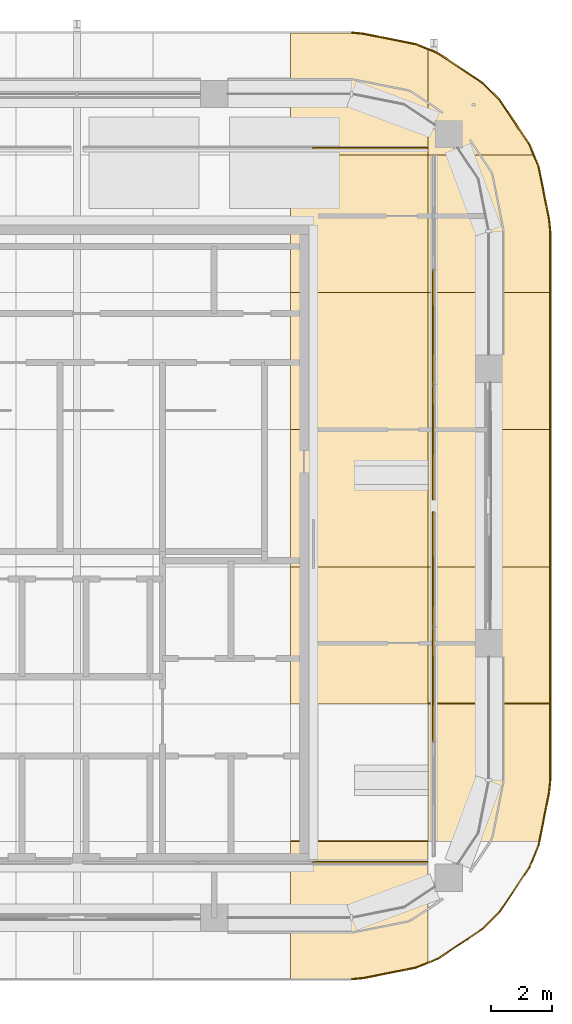
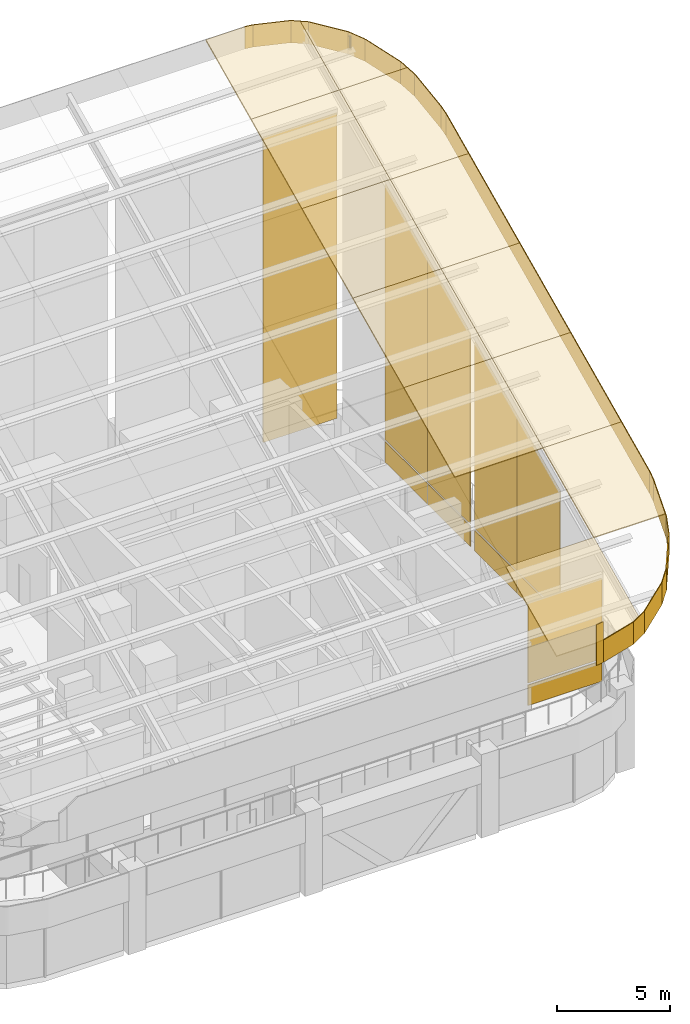
# One storey, part 31 of 31: 42 coverings.
"""IFC4 building model written with IfcOpenShell, lengths in metres."""

import ifcopenshell
import ifcopenshell.guid

model = None  # the IFC model being written
_history = None  # IfcOwnerHistory: only IFC2X3 demands one
_inside = {}  # id of a spatial element -> (the spatial element, [elements in it])
_under = {}  # id of a project, library or spatial element -> (it, [spatial elements below it])
_declared = {}  # id of a project -> (the project, [libraries it declares])
_typed = {}  # id of a type object -> (the type object, [elements of that type])
_made_of = {}  # id of a material, layer set ... -> (it, [elements and type objects made of it])


def new_model(schema):
    """Start an empty IFC model of exactly this schema.

    Asked for "IFC4X3", IfcOpenShell would pick the latest addendum, in which some entities
    have other attributes; the version numbers below select the first issue.
    IFC2X3 requires an IfcOwnerHistory on every rooted entity: one is made here for all.
    """
    global model, _history
    if schema == "IFC4X3":
        model = ifcopenshell.file(schema_version=(4, 3, 0, 0))
    else:
        model = ifcopenshell.file(schema=schema)
    _inside.clear()
    _under.clear()
    _declared.clear()
    _typed.clear()
    _made_of.clear()
    _history = None
    if model.schema == "IFC2X3":
        org = make("IfcOrganization", Name="unknown")
        user = make(
            "IfcPersonAndOrganization",
            ThePerson=make("IfcPerson", FamilyName="unknown"),
            TheOrganization=org,
        )
        app = make(
            "IfcApplication",
            ApplicationDeveloper=org,
            Version="unknown",
            ApplicationFullName="unknown",
            ApplicationIdentifier="unknown",
        )
        _history = make(
            "IfcOwnerHistory",
            OwningUser=user,
            OwningApplication=app,
            ChangeAction="ADDED",
            CreationDate=0,
        )
    return model


def make(cls, **values):
    """One entity of the class cls with the attributes given. An attribute that is None is left unset."""
    return model.create_entity(
        cls, **{name: value for name, value in values.items() if value is not None}
    )


def rooted(cls, **values):
    """An entity with a GlobalId (a new one), such as an element, a storey or a relation."""
    return make(cls, GlobalId=ifcopenshell.guid.new(), OwnerHistory=_history, **values)


def si_unit(unit_type, name, prefix=None):
    """IfcSIUnit, for example si_unit("LENGTHUNIT", "METRE", prefix="MILLI")."""
    return make("IfcSIUnit", UnitType=unit_type, Prefix=prefix, Name=name)


def assignment(units):
    """IfcUnitAssignment: the units of a project."""
    return None if units is None else make("IfcUnitAssignment", Units=units)


def point(xyz):
    """IfcCartesianPoint."""
    return None if xyz is None else make("IfcCartesianPoint", Coordinates=xyz)


def direction(xyz):
    """IfcDirection."""
    return None if xyz is None else make("IfcDirection", DirectionRatios=xyz)


def frame(location, z_axis=None, x_axis=None):
    """IfcAxis2Placement3D, a coordinate frame: its origin and axes. An axis left out is left unset."""
    return make(
        "IfcAxis2Placement3D",
        Location=point(location),
        Axis=direction(z_axis),
        RefDirection=direction(x_axis),
    )


def origin():
    """The frame at (0, 0, 0) with its axes left unset."""
    return frame((0.0, 0.0, 0.0))


def place(relative_to, where):
    """IfcLocalPlacement: puts the frame where relative to a parent placement (None: the world)."""
    return make(
        "IfcLocalPlacement", PlacementRelTo=relative_to, RelativePlacement=where
    )


def context(
    kind, dimensions, precision=None, world=None, true_north=None, identifier=None
):
    """IfcGeometricRepresentationContext, for example the 3D "Model" context."""
    return make(
        "IfcGeometricRepresentationContext",
        ContextIdentifier=identifier,
        ContextType=kind,
        CoordinateSpaceDimension=dimensions,
        Precision=precision,
        WorldCoordinateSystem=world,
        TrueNorth=true_north,
    )


def subcontext(parent, identifier, kind, view, scale=None):
    """IfcGeometricRepresentationSubContext, for example "Body" below "Model"."""
    return make(
        "IfcGeometricRepresentationSubContext",
        ContextIdentifier=identifier,
        ContextType=kind,
        ParentContext=parent,
        TargetScale=scale,
        TargetView=view,
    )


def project(units=None, contexts=None):
    """IfcProject with its units and contexts."""
    return rooted(
        "IfcProject",
        Name="project",
        RepresentationContexts=contexts,
        UnitsInContext=assignment(units),
    )


def spatial(cls, under=None, at=None, **own):
    """A site, building, storey or space (cls), placed at a placement, below another one or the project."""
    s = rooted(cls, ObjectPlacement=at, **own)
    if under is not None:
        _under.setdefault(under.id(), (under, []))[1].append(s)
    return s


def polyline(points):
    """IfcPolyline through the points."""
    return make("IfcPolyline", Points=[point(p) for p in points])


def outline(outer, holes=None, kind="AREA"):
    """IfcArbitraryClosedProfileDef: a profile drawn as a closed curve; with holes, ...WithVoids."""
    if holes is None:
        return make("IfcArbitraryClosedProfileDef", ProfileType=kind, OuterCurve=outer)
    return make(
        "IfcArbitraryProfileDefWithVoids",
        ProfileType=kind,
        OuterCurve=outer,
        InnerCurves=holes,
    )


def extrude(swept, where, along, depth):
    """IfcExtrudedAreaSolid: the profile swept, set in the frame where, extruded along a direction by depth."""
    return make(
        "IfcExtrudedAreaSolid",
        SweptArea=swept,
        Position=where,
        ExtrudedDirection=direction(along),
        Depth=depth,
    )


def shape(context_of_items, identifier, shape_type, items):
    """IfcShapeRepresentation: the items that make up one representation, for example the "Body"."""
    return make(
        "IfcShapeRepresentation",
        ContextOfItems=context_of_items,
        RepresentationIdentifier=identifier,
        RepresentationType=shape_type,
        Items=items,
    )


def material(Name=None, Category=None):
    """IfcMaterial."""
    return make("IfcMaterial", Name=Name, Category=Category)


def layer(
    of_material, thickness, ventilated=None, Name=None, Category=None, Priority=None
):
    """IfcMaterialLayer: one layer of a wall or slab, of a material (None: an air gap)."""
    return make(
        "IfcMaterialLayer",
        Material=of_material,
        LayerThickness=thickness,
        IsVentilated=ventilated,
        Name=Name,
        Category=Category,
        Priority=Priority,
    )


def layer_set(layers, Name=None):
    """IfcMaterialLayerSet."""
    return make("IfcMaterialLayerSet", MaterialLayers=layers, LayerSetName=Name)


def made_of(thing, what):
    """Note that an element or type object is made of a material, layer set ...; save() writes the relation."""
    if what is not None:
        _made_of.setdefault(what.id(), (what, []))[1].append(thing)
    return thing


def type_object(cls, material=None, **own):
    """A type object (cls), such as IfcWallType, which elements share."""
    return made_of(rooted(cls, **own), material)


def element(
    cls,
    number,
    at=None,
    inside=None,
    cuts=None,
    type_object=None,
    material=None,
    context=None,
    identifier="Body",
    shape_type=None,
    held_by="IfcProductDefinitionShape",
    body=None,
    shapes=None,
    **own,
):
    """One element of the class cls, such as IfcWall. Its Tag is "e" and its number.

    at: its placement. inside: the storey or other place that contains it. cuts: it is an
    opening in that element (IfcRelVoidsElement). A single representation is given by context,
    identifier, shape_type and body (its items); several are given by shapes. held_by: the class
    of the entity that holds the representations. save() writes the other relations.
    """
    e = rooted(cls, Tag="e%d" % number, ObjectPlacement=at, **own)
    if body is not None:
        shapes = [shape(context, identifier, shape_type, body)]
    if shapes is not None:
        e.Representation = make(held_by, Representations=shapes)
    if inside is not None:
        _inside.setdefault(inside.id(), (inside, []))[1].append(e)
    if cuts is not None:
        rooted(
            "IfcRelVoidsElement", RelatingBuildingElement=cuts, RelatedOpeningElement=e
        )
    if type_object is not None:
        _typed.setdefault(type_object.id(), (type_object, []))[1].append(e)
    return made_of(e, material)


def aggregate(whole, parts):
    """IfcRelAggregates: a whole, such as a stair, and the parts it consists of."""
    return rooted("IfcRelAggregates", RelatingObject=whole, RelatedObjects=parts)


def save(model, path):
    """Write the relations noted so far, then the file.

    IfcRelAggregates (storeys below a building ...), IfcRelContainedInSpatialStructure (elements
    in a storey), IfcRelDefinesByType, IfcRelAssociatesMaterial and IfcRelDeclares: one each for
    every whole, place, type object, material and project.
    """
    for whole, parts in _under.values():
        aggregate(whole, parts)
    for where, things in _inside.values():
        rooted(
            "IfcRelContainedInSpatialStructure",
            RelatedElements=things,
            RelatingStructure=where,
        )
    for kind, things in _typed.values():
        rooted("IfcRelDefinesByType", RelatedObjects=things, RelatingType=kind)
    for what, things in _made_of.values():
        rooted("IfcRelAssociatesMaterial", RelatedObjects=things, RelatingMaterial=what)
    for by, libraries in _declared.values():
        rooted("IfcRelDeclares", RelatingContext=by, RelatedDefinitions=libraries)
    model.write(path)


model = new_model("IFC4")

# Units and contexts
model_context = context("Model", 3, precision=1e-05, world=origin(), true_north=direction((0.0, 1.0)))
body_context = subcontext(model_context, "Body", "Model", "MODEL_VIEW")
ifc_project = project(units=[si_unit("LENGTHUNIT", "METRE"), si_unit("AREAUNIT", "SQUARE_METRE"), si_unit("VOLUMEUNIT", "CUBIC_METRE"), si_unit("PLANEANGLEUNIT", "RADIAN"), si_unit("MASSUNIT", "GRAM", prefix="KILO")], contexts=[model_context])

# Site, building, storey
site_placement = place(None, origin())
site = spatial("IfcSite", under=ifc_project, at=site_placement, CompositionType="ELEMENT")
building_placement = place(site_placement, origin())
building = spatial("IfcBuilding", under=site, at=building_placement, Name="Tessera Arch", CompositionType="ELEMENT")
storey_placement = place(building_placement, frame((0.0, 0.0, 320.699951171875)))
storey = spatial("IfcBuildingStorey", under=building, at=storey_placement, Name="L77", CompositionType="ELEMENT", Elevation=320.699951171875)

# Coverings
ifc_material_1 = material(Name="Aluminium cladding pale metal anodised", Category="aluminium")
ifc_layer_1 = layer(ifc_material_1, 0.0400390625)
ifc_layer_set_1 = layer_set([ifc_layer_1], Name="Canopy fascia pale metal")
covering_type_1 = type_object("IfcCoveringType", Name="Canopy fascia pale metal", PredefinedType="CLADDING", material=ifc_layer_set_1)
covering_1_placement = place(storey_placement, frame((56.0, 31.5, 12.775634765625), z_axis=(-1.0, 0.0, 0.0), x_axis=(0.0, 0.906312170564, 0.422608861109)))
element("IfcCovering", 1, at=covering_1_placement, inside=storey, type_object=covering_type_1, Name="CANOPY fascia 1", PredefinedType="CLADDING", context=body_context, shape_type="SweptSolid", body=[
    extrude(outline(polyline([(0.0, 0.0), (19.860706481298273, 0.0), (19.353596483166164, 1.08753035115285), (-0.5072131741235867, 1.087751618772617), (0.0, 0.0)])), origin(), (0.0, 0.0, -1.0), 0.0400390625),
])
covering_2_placement = place(storey_placement, frame((56.0, 49.5, 21.1689453125), z_axis=(-0.99520834523, -0.097777040176, 0.0), x_axis=(-0.088695214373, 0.902770398526, 0.42087856502)))
element("IfcCovering", 2, at=covering_2_placement, inside=storey, type_object=covering_type_1, Name="CANOPY fascia 2", PredefinedType="CLADDING", context=body_context, shape_type="SweptSolid", body=[
    extrude(outline(polyline([(0.0, 0.0), (0.43215497471687914, 0.0), (-0.07287875259567606, 1.0884960951519183), (-0.5050337273125551, 1.0884960951519183), (0.0, 0.0)])), origin(), (0.0, 0.0, -1.0), 0.0400390625),
])
covering_3_placement = place(storey_placement, frame((55.961669921875, 49.89013671875, 21.350830078125), z_axis=(-0.980762070993, -0.195206967348, 0.0), x_axis=(-0.17751651349, 0.8918814004, 0.415975305829)))
element("IfcCovering", 3, at=covering_3_placement, inside=storey, type_object=covering_type_1, Name="CANOPY fascia 3", PredefinedType="CLADDING", context=body_context, shape_type="SweptSolid", body=[
    extrude(outline(polyline([(0.0, 0.0), (1.930938315316513, -1.1102230246251565e-16), (1.4317882596163907, 1.0912066883861877), (-0.49915005570012233, 1.0912066883861877), (0.0, 0.0)])), origin(), (0.0, 0.0, -1.0), 0.0400390625),
])
covering_4_placement = place(storey_placement, frame((55.618896484375, 51.6123046875, 22.154052734375), z_axis=(-0.923898629088, -0.382637325897, 0.0), x_axis=(-0.35141259642, 0.848504821935, 0.395662424587)))
element("IfcCovering", 4, at=covering_4_placement, inside=storey, type_object=covering_type_1, Name="CANOPY fascia 4", PredefinedType="CLADDING", context=body_context, shape_type="SweptSolid", body=[
    extrude(outline(polyline([(0.0, 0.0), (0.8496678474737825, 0.0), (0.374892257423841, 1.102030377973727), (-0.4747755900499415, 1.102030377973727), (0.0, 0.0)])), origin(), (0.0, 0.0, -1.0), 0.0400390625),
])
covering_5_placement = place(storey_placement, frame((55.3203125, 52.333251953125, 22.490234375), z_axis=(-0.831515102434, -0.555502146192, 0.0), x_axis=(-0.517943637135, 0.775294856086, 0.361458538256)))
element("IfcCovering", 5, at=covering_5_placement, inside=storey, type_object=covering_type_1, Name="CANOPY fascia 5", PredefinedType="CLADDING", context=body_context, shape_type="SweptSolid", body=[
    extrude(outline(polyline([(0.0, 0.0), (1.8831041197279126, 0.0), (1.4493715231638487, 1.118820293685264), (-0.4337325965640638, 1.118820293685264), (0.0, 0.0)])), origin(), (0.0, 0.0, -1.0), 0.0400390625),
])
covering_6_placement = place(storey_placement, frame((54.344970703125, 53.793212890625, 23.1708984375), z_axis=(-0.707106781187, -0.707106781187, 0.0), x_axis=(-0.671533892483, 0.671533892483, 0.313184390565)))
element("IfcCovering", 6, at=covering_6_placement, inside=storey, type_object=covering_type_1, Name="CANOPY fascia 6", PredefinedType="CLADDING", context=body_context, shape_type="SweptSolid", body=[
    extrude(outline(polyline([(0.0, 0.0), (0.821638071698767, -2.7755575615628914e-17), (0.44583209522730854, 1.1395844343147723), (-0.3758059764714585, 1.1395844343147723), (0.0, 0.0)])), origin(), (0.0, 0.0, -1.0), 0.0400390625),
])
covering_7_placement = place(storey_placement, frame((53.793212890625, 54.344970703125, 23.42822265625), z_axis=(-0.555502146192, -0.831515102434, 0.0), x_axis=(-0.80494515218, 0.537751819893, 0.250771374333)))
element("IfcCovering", 7, at=covering_7_placement, inside=storey, type_object=covering_type_1, Name="CANOPY fascia 7", PredefinedType="CLADDING", context=body_context, shape_type="SweptSolid", body=[
    extrude(outline(polyline([(0.0, 0.0), (1.8137396486540374, 0.0), (1.5128262441505989, 1.1616083409972293), (-0.3009134045034385, 1.1616083409972293), (0.0, 0.0)])), origin(), (0.0, 0.0, -1.0), 0.0400390625),
])
covering_8_placement = place(storey_placement, frame((52.333251953125, 55.3203125, 23.883056640625), z_axis=(-0.382637325897, -0.923898629088, 0.0), x_axis=(-0.909499309313, 0.376673774226, 0.175863225743)))
element("IfcCovering", 8, at=covering_8_placement, inside=storey, type_object=covering_type_1, Name="CANOPY fascia 8", PredefinedType="CLADDING", context=body_context, shape_type="SweptSolid", body=[
    extrude(outline(polyline([(0.0, 0.0), (0.7926858857861844, 0.0), (0.5816586019666166, 1.1812494657640789), (-0.2110272838195678, 1.1812494657640786), (0.0, 0.0)])), origin(), (0.0, 0.0, -1.0), 0.0400390625),
])
covering_9_placement = place(storey_placement, frame((51.6123046875, 55.618896484375, 24.0224609375), z_axis=(-0.195206967348, -0.980762070993, 0.0), x_axis=(-0.976732464869, 0.194404930632, 0.090556142901)))
element("IfcCovering", 9, at=covering_9_placement, inside=storey, type_object=covering_type_1, Name="CANOPY fascia 9", PredefinedType="CLADDING", context=body_context, shape_type="SweptSolid", body=[
    extrude(outline(polyline([(0.0, 0.0), (1.7631931267699572, -2.7755575615628914e-17), (1.6545301769753142, 1.1950209948892585), (-0.10866294979464294, 1.1950209948892583), (0.0, 0.0)])), origin(), (0.0, 0.0, -1.0), 0.0400390625),
])
covering_10_placement = place(storey_placement, frame((49.89013671875, 55.961669921875, 24.18212890625), z_axis=(-0.097777040176, -0.99520834523, 0.0), x_axis=(-0.994181437068, 0.097676148698, 0.045416298439)))
element("IfcCovering", 10, at=covering_10_placement, inside=storey, type_object=covering_type_1, Name="CANOPY fascia 10", PredefinedType="CLADDING", context=body_context, shape_type="SweptSolid", body=[
    extrude(outline(polyline([(0.0, 0.0), (0.39242003944509934, 0.0), (0.3379226989106381, 1.1987129993283867), (-0.05449734053446123, 1.1987129993283867), (0.0, 0.0)])), origin(), (0.0, 0.0, -1.0), 0.0400390625),
])
covering_11_placement = place(storey_placement, frame((49.5, 25.0, 10.74462890625), z_axis=(-0.097777040176, 0.99520834523, 0.0), x_axis=(0.994181437068, 0.097676148698, 0.045416298439)))
element("IfcCovering", 11, at=covering_11_placement, inside=storey, type_object=covering_type_1, Name="CANOPY fascia 32", PredefinedType="CLADDING", context=body_context, shape_type="SweptSolid", body=[
    extrude(outline(polyline([(0.0, 0.0), (0.39242003944509934, 0.0), (0.29250640047133936, 2.197681146886693), (-0.0999247269372461, 2.1979250355945923), (0.0, 0.0)])), origin(), (0.0, 0.0, -1.0), 0.0400390625),
])
covering_12_placement = place(storey_placement, frame((49.89013671875, 25.038330078125, 9.762451171875), z_axis=(-0.195206967348, 0.980762070993, 0.0), x_axis=(0.976732464869, 0.194404930632, 0.090556142901)))
element("IfcCovering", 12, at=covering_12_placement, inside=storey, type_object=covering_type_1, Name="CANOPY fascia 33", PredefinedType="CLADDING", context=body_context, shape_type="SweptSolid", body=[
    extrude(outline(polyline([(0.0, 0.0), (1.7631931267699572, -2.7755575615628914e-17), (1.6545301769753142, 1.1950209948892585), (-0.10866294979464294, 1.1950209948892583), (0.0, 0.0)])), origin(), (0.0, 0.0, -1.0), 0.0400390625),
])
covering_13_placement = place(storey_placement, frame((51.6123046875, 25.381103515625, 9.922119140625), z_axis=(-0.382637325897, 0.923898629088, 0.0), x_axis=(0.909499309313, 0.376673774226, 0.175863225743)))
element("IfcCovering", 13, at=covering_13_placement, inside=storey, type_object=covering_type_1, Name="CANOPY fascia 34", PredefinedType="CLADDING", context=body_context, shape_type="SweptSolid", body=[
    extrude(outline(polyline([(0.0, 0.0), (0.7926858857861844, 0.0), (0.5816156666087692, 1.1814898013624031), (-0.2110272838195678, 1.1812494657640786), (0.0, 0.0)])), origin(), (0.0, 0.0, -1.0), 0.0400390625),
])
covering_14_placement = place(storey_placement, frame((52.333251953125, 25.6796875, 10.0615234375), z_axis=(-0.555502146192, 0.831515102434, 0.0), x_axis=(0.80494515218, 0.537751819893, 0.250771374333)))
element("IfcCovering", 14, at=covering_14_placement, inside=storey, type_object=covering_type_1, Name="CANOPY fascia 35", PredefinedType="CLADDING", context=body_context, shape_type="SweptSolid", body=[
    extrude(outline(polyline([(0.0, 0.0), (1.8137396486540374, 5.551115123125783e-17), (1.512765020670537, 1.1618446804358862), (-0.3009746279835003, 1.161844680435886), (0.0, 0.0)])), origin(), (0.0, 0.0, -1.0), 0.0400390625),
])
covering_15_placement = place(storey_placement, frame((53.793212890625, 26.655029296875, 10.516357421875), z_axis=(-0.707106781187, 0.707106781187, 0.0), x_axis=(0.671596364002, 0.671596364002, 0.31291635898)))
element("IfcCovering", 15, at=covering_15_placement, inside=storey, type_object=covering_type_1, Name="CANOPY fascia 36", PredefinedType="CLADDING", context=body_context, shape_type="SweptSolid", body=[
    extrude(outline(polyline([(0.0, 0.0), (0.8215616433830917, 0.0), (0.4460772917262735, 1.139690447685267), (-0.3755607472522723, 1.1399223277356607), (0.0, 0.0)])), origin(), (0.0, 0.0, -1.0), 0.0400390625),
])
covering_16_placement = place(storey_placement, frame((54.344970703125, 27.206787109375, 10.7734375), z_axis=(-0.831515102434, 0.555502146192, 0.0), x_axis=(0.517919362424, 0.775258519974, 0.3615712395)))
element("IfcCovering", 16, at=covering_16_placement, inside=storey, type_object=covering_type_1, Name="CANOPY fascia 37", PredefinedType="CLADDING", context=body_context, shape_type="SweptSolid", body=[
    extrude(outline(polyline([(0.0, 0.0), (1.8831923801991524, -1.1102230246251565e-16), (1.4493245476451897, 1.1187678574034525), (-0.4338678325539627, 1.1187678574034527), (0.0, 0.0)])), origin(), (0.0, 0.0, -1.0), 0.0400390625),
])
covering_17_placement = place(storey_placement, frame((55.3203125, 28.666748046875, 11.454345703125), z_axis=(-0.923898629088, 0.382637325897, 0.0), x_axis=(0.35141259642, 0.848504821935, 0.395662424587)))
element("IfcCovering", 17, at=covering_17_placement, inside=storey, type_object=covering_type_1, Name="CANOPY fascia 38", PredefinedType="CLADDING", context=body_context, shape_type="SweptSolid", body=[
    extrude(outline(polyline([(0.0, 0.0), (0.8496678474737825, 0.0), (0.374892257423841, 1.102030377973727), (-0.4747755900499415, 1.102030377973727), (0.0, 0.0)])), origin(), (0.0, 0.0, -1.0), 0.0400390625),
])
covering_18_placement = place(storey_placement, frame((55.618896484375, 29.3876953125, 11.79052734375), z_axis=(-0.980762070993, 0.195206967348, 0.0), x_axis=(0.177525849176, 0.891928304905, 0.415870739273)))
element("IfcCovering", 18, at=covering_18_placement, inside=storey, type_object=covering_type_1, Name="CANOPY fascia 39", PredefinedType="CLADDING", context=body_context, shape_type="SweptSolid", body=[
    extrude(outline(polyline([(0.0, 0.0), (1.9308367716094998, 0.0), (1.4318121906701764, 1.0912640755117518), (-0.4990245809393234, 1.0912640755117518), (0.0, 0.0)])), origin(), (0.0, 0.0, -1.0), 0.0400390625),
])
covering_19_placement = place(storey_placement, frame((55.961669921875, 31.10986328125, 12.593505859375), z_axis=(-0.99520834523, 0.097777040176, 0.0), x_axis=(0.088674118673, 0.902555679234, 0.421343264524)))
element("IfcCovering", 19, at=covering_19_placement, inside=storey, type_object=covering_type_1, Name="CANOPY fascia 40", PredefinedType="CLADDING", context=body_context, shape_type="SweptSolid", body=[
    extrude(outline(polyline([(0.0, 0.0), (0.4322577850055526, 0.0), (-0.07343642602917538, 1.0884586133946192), (-0.5055913440267876, 1.0882372019598359), (0.0, 0.0)])), origin(), (0.0, 0.0, -1.0), 0.0400390625),
])
ifc_material_2 = material(Name="Aluminium cladding pale metal anodised", Category="aluminium")
ifc_layer_2 = layer(ifc_material_2, 0.080078125)
ifc_layer_set_2 = layer_set([ifc_layer_2], Name="Canopy panel pale metal")
covering_type_2 = type_object("IfcCoveringType", Name="Canopy panel pale metal", PredefinedType="CLADDING", material=ifc_layer_set_2)
covering_20_placement = place(storey_placement, frame((52.0, 25.54150390625, 9.9970703125), z_axis=(6.276053e-06, -0.422588817777, 0.906321516378), x_axis=(2.3e-11, 0.906321516396, 0.422588817785)))
element("IfcCovering", 20, at=covering_20_placement, inside=storey, type_object=covering_type_2, Name="CANOPY panel 8-1", PredefinedType="CLADDING", context=body_context, shape_type="SweptSolid", body=[
    extrude(outline(polyline([(0.0, 0.0), (4.367643683912569, 0.0), (4.36764368381086, 4.499999999911374), (-0.5974555569759563, 4.500000000151533), (-0.5974555569307519, 2.5000000001909215), (-0.5551846922313723, 2.1098632811661364), (-0.17704785238484488, 0.3876953115692454), (0.0, 0.0)])), origin(), (0.0, 0.0, -1.0), 0.080078125),
])
for number, where, z_axis, x_axis, name in (
    (21, (52.0, 34.0, 13.941162109375), (0.0, -0.422618958231, 0.906307462258), (0.0, 0.906307462258, 0.422618958231), "CANOPY panel 8-3"),
    (22, (52.0, 38.5, 16.03955078125), (0.0, -0.422618958231, 0.906307462258), (0.0, 0.906307462258, 0.422618958231), "CANOPY panel 8-4"),
    (23, (52.0, 43.0, 18.137939453125), (0.0, -0.422618958231, 0.906307462258), (0.0, 0.906307462258, 0.422618958231), "CANOPY panel 8-5"),
):
    element("IfcCovering", number, at=place(storey_placement, frame(where, z_axis=z_axis, x_axis=x_axis)), inside=storey, type_object=covering_type_2, Name=name, PredefinedType="CLADDING", context=body_context, shape_type="SweptSolid", body=[
        extrude(outline(polyline([(0.0, 0.0), (4.965202414630578, 0.0), (4.965202414630578, 4.5), (0.0, 4.5), (0.0, 0.0)])), origin(), (0.0, 0.0, -1.0), 0.080078125),
    ])
covering_21_placement = place(storey_placement, frame((52.0, 47.5, 20.236328125), z_axis=(0.0, -0.422659345144, 0.906288628397), x_axis=(0.0, 0.906288628397, 0.422659345144)))
element("IfcCovering", 24, at=covering_21_placement, inside=storey, type_object=covering_type_2, Name="CANOPY panel 8-6", PredefinedType="CLADDING", context=body_context, shape_type="SweptSolid", body=[
    extrude(outline(polyline([(0.0, 0.0), (4.965305598017272, 0.0), (4.965305598017272, 4.5), (0.0, 4.5), (0.0, 0.0)])), origin(), (0.0, 0.0, -1.0), 0.080078125),
])
covering_22_placement = place(storey_placement, frame((47.5, 56.0, 24.199951171875), z_axis=(-6.22159e-06, -0.42258493193, 0.906323328215), x_axis=(7.8e-11, -0.906323328233, -0.422584931938)))
element("IfcCovering", 25, at=covering_22_placement, inside=storey, type_object=covering_type_2, Name="CANOPY panel 8-7", PredefinedType="CLADDING", context=body_context, shape_type="SweptSolid", body=[
    extrude(outline(polyline([(0.0, 0.0), (4.413410084189541, -1.6940658945086007e-21), (4.413410084542067, 4.499999999912907), (0.5974555573945702, 4.500000000101627), (0.42040770561763907, 4.112304688538863), (0.04227086507103546, 2.3901367189802665), (1.5667820238044818e-10, 1.9999999999612919), (0.0, 0.0)])), origin(), (0.0, 0.0, -1.0), 0.080078125),
])
covering_23_placement = place(storey_placement, frame((55.961669921875, 31.10986328125, 12.593505859375), z_axis=(-2.0109705e-05, -0.422618463906, 0.906307692542), x_axis=(0.088674135412, 0.902736711943, 0.420955254891)))
element("IfcCovering", 26, at=covering_23_placement, inside=storey, type_object=covering_type_2, Name="CANOPY panel 9-2", PredefinedType="CLADDING", context=body_context, shape_type="SweptSolid", body=[
    extrude(outline(polyline([(0.0, 0.0), (0.43225774538387096, -8.673617379884035e-19), (3.179734385310717, 0.24459365034638464), (2.8250378436646413, 4.228836408622279), (-2.1206050983059286, 3.788551377327002), (-1.7977108771968453, 0.1615383927270899), (0.0, 0.0)])), origin(), (0.0, 0.0, -1.0), 0.080078125),
])
for number, where, z_axis, x_axis, name in (
    (27, (56.0, 38.5, 16.03955078125), (0.0, -0.422618958231, 0.906307462258), (-1.0, 0.0, 0.0), "CANOPY panel 9-3"),
    (28, (56.0, 43.0, 18.137939453125), (0.0, -0.422618958231, 0.906307462258), (-1.0, 0.0, 0.0), "CANOPY panel 9-4"),
    (29, (56.0, 47.5, 20.236328125), (0.0, -0.422618958231, 0.906307462258), (-1.0, 0.0, 0.0), "CANOPY panel 9-5"),
):
    element("IfcCovering", number, at=place(storey_placement, frame(where, z_axis=z_axis, x_axis=x_axis)), inside=storey, type_object=covering_type_2, Name=name, PredefinedType="CLADDING", context=body_context, shape_type="SweptSolid", body=[
        extrude(outline(polyline([(0.0, 0.0), (4.0, 0.0), (4.0, 4.965202414630578), (0.0, 4.965202414630578), (0.0, 0.0)])), origin(), (0.0, 0.0, -1.0), 0.080078125),
    ])
covering_24_placement = place(storey_placement, frame((55.45849609375, 52.0, 22.3349609375), z_axis=(2.1564288e-05, -0.422656793391, 0.906289818179), x_axis=(-0.999999999767, -9.114293e-06, 1.9543494e-05)))
element("IfcCovering", 30, at=covering_24_placement, inside=storey, type_object=covering_type_2, Name="CANOPY panel 9-6", PredefinedType="CLADDING", context=body_context, shape_type="SweptSolid", body=[
    extrude(outline(polyline([(0.0, 0.0), (3.4584960929458677, 0.0), (3.458496092644403, 4.965305597997592), (-0.5415039064255599, 4.965305597997592), (-0.5415039084121805, 2.7585489711958724), (-0.5031738314524422, 2.328097203389057), (-0.1604003925976032, 0.427826395404995), (0.0, 0.0)])), origin(), (0.0, 0.0, -1.0), 0.080078125),
])
covering_25_placement = place(storey_placement, frame((52.0, 55.45849609375, 23.947509765625), z_axis=(4.2067989e-05, -0.422550528858, 0.906339367341), x_axis=(1.402e-09, -0.906339368143, -0.422550529232)))
element("IfcCovering", 31, at=covering_25_placement, inside=storey, type_object=covering_type_2, Name="CANOPY panel 9-7", PredefinedType="CLADDING", context=body_context, shape_type="SweptSolid", body=[
    extrude(outline(polyline([(0.0, 0.0), (3.815954525070886, 1.3552527156068805e-20), (3.815954529918054, 3.458496090689723), (3.448304291905374, 3.3203125011681873), (1.8374692570926954, 2.344970707187966), (1.228656944353185, 1.7932128927685944), (0.15247593359356382, 0.33325195374611094), (0.0, 0.0)])), origin(), (0.0, 0.0, -1.0), 0.080078125),
])
ifc_material_3 = material(Name="Aluminium cladding pale metal anodised", Category="aluminium")
ifc_layer_3 = layer(ifc_material_3, 0.050048828125)
ifc_layer_set_3 = layer_set([ifc_layer_3], Name="Crown screen panel pale metal")
covering_type_3 = type_object("IfcCoveringType", Name="Crown screen panel pale metal", PredefinedType="CLADDING", material=ifc_layer_set_3)
covering_26_placement = place(storey_placement, frame((48.2333984375, 28.800048828125, 4.5), z_axis=(0.0, -1.0, 0.0), x_axis=(1.0, 0.0, 0.0)))
element("IfcCovering", 32, at=covering_26_placement, inside=storey, type_object=covering_type_3, Name="CROWN screen S3-3", PredefinedType="CLADDING", context=body_context, shape_type="SweptSolid", body=[
    extrude(outline(polyline([(0.0, 0.0), (3.7666015625, 0.0), (3.7666015625, 1.10009765625), (0.0, 1.10009765625), (0.0, 0.0)])), origin(), (0.0, 0.0, -1.0), 0.050048828125),
])
covering_27_placement = place(storey_placement, frame((48.2333984375, 28.800048828125, 5.714111328125), z_axis=(0.0, -1.0, 0.0), x_axis=(1.0, 0.0, 0.0)))
element("IfcCovering", 33, at=covering_27_placement, inside=storey, type_object=covering_type_3, Name="CROWN screen S3-3 head", PredefinedType="CLADDING", context=body_context, shape_type="SweptSolid", body=[
    extrude(outline(polyline([(0.0, 0.0), (3.7666015625, 0.0), (3.7666015625, 4.341796875), (0.0, 4.341796875), (0.0, 0.0)])), origin(), (0.0, 0.0, -1.0), 0.050048828125),
])
covering_28_placement = place(storey_placement, frame((48.2333984375, 52.199951171875, 4.5), z_axis=(0.0, -1.0, 0.0), x_axis=(1.0, 0.0, 0.0)))
element("IfcCovering", 34, at=covering_28_placement, inside=storey, type_object=covering_type_3, Name="CROWN screen N6-3", PredefinedType="CLADDING", context=body_context, shape_type="SweptSolid", body=[
    extrude(outline(polyline([(0.0, 0.0), (3.7666015625, 0.0), (3.7666015625, 16.467529296875), (0.0, 16.467529296875), (0.0, 0.0)])), origin(), (0.0, 0.0, -1.0), 0.050048828125),
])
covering_29_placement = place(storey_placement, frame((52.199951171875, 32.7666015625, 4.5), z_axis=(1.0, 0.0, 0.0), x_axis=(0.0, 1.0, 0.0)))
element("IfcCovering", 35, at=covering_29_placement, inside=storey, type_object=covering_type_3, Name="CROWN screen E9-2", PredefinedType="CLADDING", context=body_context, shape_type="SweptSolid", body=[
    extrude(outline(polyline([(0.0, 0.0), (3.7666015625, 0.0), (3.7666015625, 1.10009765625), (0.0, 1.10009765625), (0.0, 0.0)])), origin(), (0.0, 0.0, -1.0), 0.050048828125),
])
covering_30_placement = place(storey_placement, frame((52.199951171875, 32.7666015625, 5.714111328125), z_axis=(1.0, 0.0, 0.0), x_axis=(0.0, 1.0, 0.0)))
element("IfcCovering", 36, at=covering_30_placement, inside=storey, type_object=covering_type_3, Name="CROWN screen E9-2 head", PredefinedType="CLADDING", context=body_context, shape_type="SweptSolid", body=[
    extrude(outline(polyline([(0.0, 0.0), (3.7666015625, 0.0), (3.7666015625, 8.29931640625), (0.0, 6.542724609375), (0.0, 0.0)])), origin(), (0.0, 0.0, -1.0), 0.050048828125),
])
covering_31_placement = place(storey_placement, frame((52.199951171875, 36.533203125, 4.5), z_axis=(1.0, 0.0, 0.0), x_axis=(0.0, 1.0, 0.0)))
element("IfcCovering", 37, at=covering_31_placement, inside=storey, type_object=covering_type_3, Name="CROWN screen E9-3", PredefinedType="CLADDING", context=body_context, shape_type="SweptSolid", body=[
    extrude(outline(polyline([(0.0, 0.0), (3.766845703125, 0.0), (3.766845703125, 1.10009765625), (0.0, 1.10009765625), (0.0, 0.0)])), origin(), (0.0, 0.0, -1.0), 0.050048828125),
])
covering_32_placement = place(storey_placement, frame((52.199951171875, 36.533203125, 5.714111328125), z_axis=(1.0, 0.0, 0.0), x_axis=(0.0, 1.0, 0.0)))
element("IfcCovering", 38, at=covering_32_placement, inside=storey, type_object=covering_type_3, Name="CROWN screen E9-3 head", PredefinedType="CLADDING", context=body_context, shape_type="SweptSolid", body=[
    extrude(outline(polyline([(0.0, 0.0), (3.766845703125, 0.0), (3.766845703125, 10.0556640625), (0.0, 8.29931640625), (0.0, 0.0)])), origin(), (0.0, 0.0, -1.0), 0.050048828125),
])
covering_33_placement = place(storey_placement, frame((52.199951171875, 40.699951171875, 4.5), z_axis=(1.0, 0.0, 0.0), x_axis=(0.0, 1.0, 0.0)))
element("IfcCovering", 39, at=covering_33_placement, inside=storey, type_object=covering_type_3, Name="CROWN screen E10-1", PredefinedType="CLADDING", context=body_context, shape_type="SweptSolid", body=[
    extrude(outline(polyline([(0.0, 0.0), (3.766845703125, 0.0), (3.766845703125, 1.10009765625), (0.0, 1.10009765625), (0.0, 0.0)])), origin(), (0.0, 0.0, -1.0), 0.050048828125),
])
covering_34_placement = place(storey_placement, frame((52.199951171875, 40.699951171875, 5.714111328125), z_axis=(1.0, 0.0, 0.0), x_axis=(0.0, 1.0, 0.0)))
element("IfcCovering", 40, at=covering_34_placement, inside=storey, type_object=covering_type_3, Name="CROWN screen E10-1 head", PredefinedType="CLADDING", context=body_context, shape_type="SweptSolid", body=[
    extrude(outline(polyline([(0.0, 0.0), (3.766845703125, 0.0), (3.766845703125, 11.99853515625), (0.0, 10.2421875), (0.0, 0.0)])), origin(), (0.0, 0.0, -1.0), 0.050048828125),
])
covering_35_placement = place(storey_placement, frame((52.199951171875, 44.466796875, 4.5), z_axis=(1.0, 0.0, 0.0), x_axis=(0.0, 1.0, 0.0)))
element("IfcCovering", 41, at=covering_35_placement, inside=storey, type_object=covering_type_3, Name="CROWN screen E10-2", PredefinedType="CLADDING", context=body_context, shape_type="SweptSolid", body=[
    extrude(outline(polyline([(0.0, 0.0), (3.7666015625, 0.0), (3.7666015625, 1.10009765625), (0.0, 1.10009765625), (0.0, 0.0)])), origin(), (0.0, 0.0, -1.0), 0.050048828125),
])
covering_36_placement = place(storey_placement, frame((52.199951171875, 44.466796875, 5.714111328125), z_axis=(1.0, 0.0, 0.0), x_axis=(0.0, 1.0, 0.0)))
element("IfcCovering", 42, at=covering_36_placement, inside=storey, type_object=covering_type_3, Name="CROWN screen E10-2 head", PredefinedType="CLADDING", context=body_context, shape_type="SweptSolid", body=[
    extrude(outline(polyline([(0.0, 0.0), (3.7666015625, 0.0), (3.7666015625, 13.755126953125), (0.0, 11.99853515625), (0.0, 0.0)])), origin(), (0.0, 0.0, -1.0), 0.050048828125),
])

save(model, "model.ifc")
